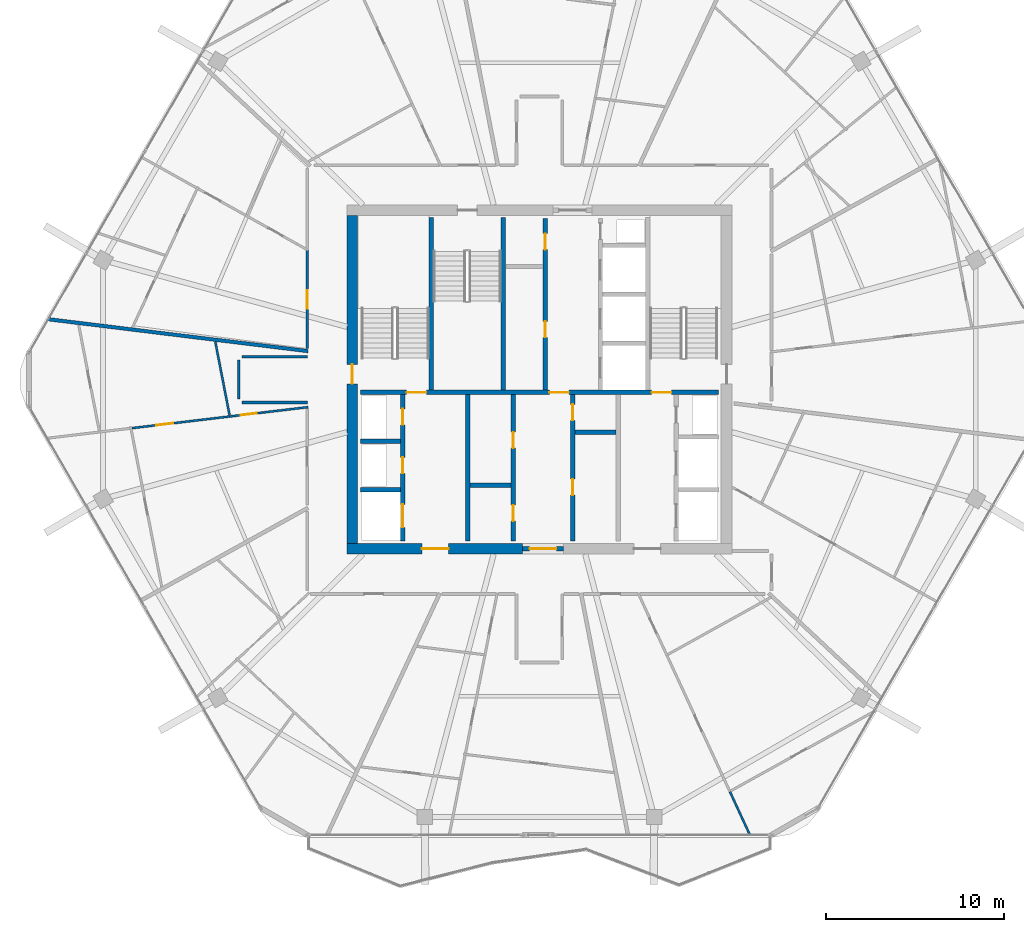
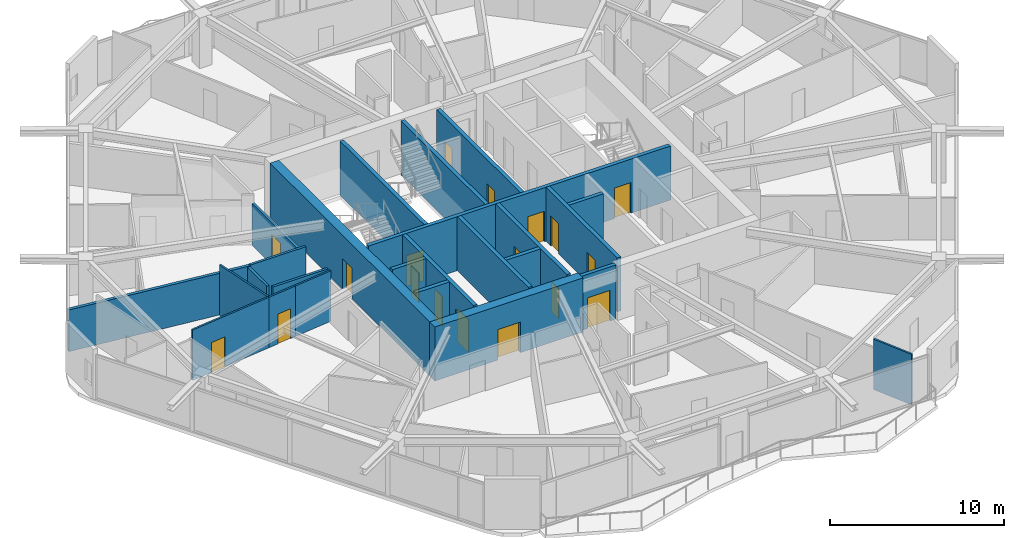
# One storey, part 20 of 27: 25 walls, 18 doors, 18 openings.
"""IFC4 building model written with IfcOpenShell, lengths in metres."""

import ifcopenshell
import ifcopenshell.guid

model = None  # the IFC model being written
_history = None  # IfcOwnerHistory: only IFC2X3 demands one
_inside = {}  # id of a spatial element -> (the spatial element, [elements in it])
_under = {}  # id of a project, library or spatial element -> (it, [spatial elements below it])
_declared = {}  # id of a project -> (the project, [libraries it declares])
_typed = {}  # id of a type object -> (the type object, [elements of that type])
_made_of = {}  # id of a material, layer set ... -> (it, [elements and type objects made of it])


def new_model(schema):
    """Start an empty IFC model of exactly this schema.

    Asked for "IFC4X3", IfcOpenShell would pick the latest addendum, in which some entities
    have other attributes; the version numbers below select the first issue.
    IFC2X3 requires an IfcOwnerHistory on every rooted entity: one is made here for all.
    """
    global model, _history
    if schema == "IFC4X3":
        model = ifcopenshell.file(schema_version=(4, 3, 0, 0))
    else:
        model = ifcopenshell.file(schema=schema)
    _inside.clear()
    _under.clear()
    _declared.clear()
    _typed.clear()
    _made_of.clear()
    _history = None
    if model.schema == "IFC2X3":
        org = make("IfcOrganization", Name="unknown")
        user = make(
            "IfcPersonAndOrganization",
            ThePerson=make("IfcPerson", FamilyName="unknown"),
            TheOrganization=org,
        )
        app = make(
            "IfcApplication",
            ApplicationDeveloper=org,
            Version="unknown",
            ApplicationFullName="unknown",
            ApplicationIdentifier="unknown",
        )
        _history = make(
            "IfcOwnerHistory",
            OwningUser=user,
            OwningApplication=app,
            ChangeAction="ADDED",
            CreationDate=0,
        )
    return model


def make(cls, **values):
    """One entity of the class cls with the attributes given. An attribute that is None is left unset."""
    return model.create_entity(
        cls, **{name: value for name, value in values.items() if value is not None}
    )


def rooted(cls, **values):
    """An entity with a GlobalId (a new one), such as an element, a storey or a relation."""
    return make(cls, GlobalId=ifcopenshell.guid.new(), OwnerHistory=_history, **values)


def si_unit(unit_type, name, prefix=None):
    """IfcSIUnit, for example si_unit("LENGTHUNIT", "METRE", prefix="MILLI")."""
    return make("IfcSIUnit", UnitType=unit_type, Prefix=prefix, Name=name)


def assignment(units):
    """IfcUnitAssignment: the units of a project."""
    return None if units is None else make("IfcUnitAssignment", Units=units)


def point(xyz):
    """IfcCartesianPoint."""
    return None if xyz is None else make("IfcCartesianPoint", Coordinates=xyz)


def direction(xyz):
    """IfcDirection."""
    return None if xyz is None else make("IfcDirection", DirectionRatios=xyz)


def frame(location, z_axis=None, x_axis=None):
    """IfcAxis2Placement3D, a coordinate frame: its origin and axes. An axis left out is left unset."""
    return make(
        "IfcAxis2Placement3D",
        Location=point(location),
        Axis=direction(z_axis),
        RefDirection=direction(x_axis),
    )


def frame_2d(location, x_axis=None):
    """IfcAxis2Placement2D, a coordinate frame in the plane: its origin and x axis."""
    return make(
        "IfcAxis2Placement2D", Location=point(location), RefDirection=direction(x_axis)
    )


def origin():
    """The frame at (0, 0, 0) with its axes left unset."""
    return frame((0.0, 0.0, 0.0))


def place(relative_to, where):
    """IfcLocalPlacement: puts the frame where relative to a parent placement (None: the world)."""
    return make(
        "IfcLocalPlacement", PlacementRelTo=relative_to, RelativePlacement=where
    )


def context(
    kind, dimensions, precision=None, world=None, true_north=None, identifier=None
):
    """IfcGeometricRepresentationContext, for example the 3D "Model" context."""
    return make(
        "IfcGeometricRepresentationContext",
        ContextIdentifier=identifier,
        ContextType=kind,
        CoordinateSpaceDimension=dimensions,
        Precision=precision,
        WorldCoordinateSystem=world,
        TrueNorth=true_north,
    )


def subcontext(parent, identifier, kind, view, scale=None):
    """IfcGeometricRepresentationSubContext, for example "Body" below "Model"."""
    return make(
        "IfcGeometricRepresentationSubContext",
        ContextIdentifier=identifier,
        ContextType=kind,
        ParentContext=parent,
        TargetScale=scale,
        TargetView=view,
    )


def project(units=None, contexts=None):
    """IfcProject with its units and contexts."""
    return rooted(
        "IfcProject",
        Name="project",
        RepresentationContexts=contexts,
        UnitsInContext=assignment(units),
    )


def spatial(cls, under=None, at=None, **own):
    """A site, building, storey or space (cls), placed at a placement, below another one or the project."""
    s = rooted(cls, ObjectPlacement=at, **own)
    if under is not None:
        _under.setdefault(under.id(), (under, []))[1].append(s)
    return s


def profile(cls, at=None, kind="AREA", **sizes):
    """A parametric profile (cls). Its sizes go by their IFC names, for example OverallWidth=200.0."""
    return make(cls, ProfileType=kind, Position=at, **sizes)


def rectangle(**sizes):
    """IfcRectangleProfileDef."""
    return profile("IfcRectangleProfileDef", **sizes)


def extrude(swept, where, along, depth):
    """IfcExtrudedAreaSolid: the profile swept, set in the frame where, extruded along a direction by depth."""
    return make(
        "IfcExtrudedAreaSolid",
        SweptArea=swept,
        Position=where,
        ExtrudedDirection=direction(along),
        Depth=depth,
    )


def shape(context_of_items, identifier, shape_type, items):
    """IfcShapeRepresentation: the items that make up one representation, for example the "Body"."""
    return make(
        "IfcShapeRepresentation",
        ContextOfItems=context_of_items,
        RepresentationIdentifier=identifier,
        RepresentationType=shape_type,
        Items=items,
    )


def material(Name=None, Category=None):
    """IfcMaterial."""
    return make("IfcMaterial", Name=Name, Category=Category)


def layer(
    of_material, thickness, ventilated=None, Name=None, Category=None, Priority=None
):
    """IfcMaterialLayer: one layer of a wall or slab, of a material (None: an air gap)."""
    return make(
        "IfcMaterialLayer",
        Material=of_material,
        LayerThickness=thickness,
        IsVentilated=ventilated,
        Name=Name,
        Category=Category,
        Priority=Priority,
    )


def layer_set(layers, Name=None):
    """IfcMaterialLayerSet."""
    return make("IfcMaterialLayerSet", MaterialLayers=layers, LayerSetName=Name)


def made_of(thing, what):
    """Note that an element or type object is made of a material, layer set ...; save() writes the relation."""
    if what is not None:
        _made_of.setdefault(what.id(), (what, []))[1].append(thing)
    return thing


def type_object(cls, material=None, **own):
    """A type object (cls), such as IfcWallType, which elements share."""
    return made_of(rooted(cls, **own), material)


def element(
    cls,
    number,
    at=None,
    inside=None,
    cuts=None,
    type_object=None,
    material=None,
    context=None,
    identifier="Body",
    shape_type=None,
    held_by="IfcProductDefinitionShape",
    body=None,
    shapes=None,
    **own,
):
    """One element of the class cls, such as IfcWall. Its Tag is "e" and its number.

    at: its placement. inside: the storey or other place that contains it. cuts: it is an
    opening in that element (IfcRelVoidsElement). A single representation is given by context,
    identifier, shape_type and body (its items); several are given by shapes. held_by: the class
    of the entity that holds the representations. save() writes the other relations.
    """
    e = rooted(cls, Tag="e%d" % number, ObjectPlacement=at, **own)
    if body is not None:
        shapes = [shape(context, identifier, shape_type, body)]
    if shapes is not None:
        e.Representation = make(held_by, Representations=shapes)
    if inside is not None:
        _inside.setdefault(inside.id(), (inside, []))[1].append(e)
    if cuts is not None:
        rooted(
            "IfcRelVoidsElement", RelatingBuildingElement=cuts, RelatedOpeningElement=e
        )
    if type_object is not None:
        _typed.setdefault(type_object.id(), (type_object, []))[1].append(e)
    return made_of(e, material)


def fill(opening, filler):
    """IfcRelFillsElement: the door or window that sits in an opening."""
    return rooted(
        "IfcRelFillsElement",
        RelatingOpeningElement=opening,
        RelatedBuildingElement=filler,
    )


def aggregate(whole, parts):
    """IfcRelAggregates: a whole, such as a stair, and the parts it consists of."""
    return rooted("IfcRelAggregates", RelatingObject=whole, RelatedObjects=parts)


def save(model, path):
    """Write the relations noted so far, then the file.

    IfcRelAggregates (storeys below a building ...), IfcRelContainedInSpatialStructure (elements
    in a storey), IfcRelDefinesByType, IfcRelAssociatesMaterial and IfcRelDeclares: one each for
    every whole, place, type object, material and project.
    """
    for whole, parts in _under.values():
        aggregate(whole, parts)
    for where, things in _inside.values():
        rooted(
            "IfcRelContainedInSpatialStructure",
            RelatedElements=things,
            RelatingStructure=where,
        )
    for kind, things in _typed.values():
        rooted("IfcRelDefinesByType", RelatedObjects=things, RelatingType=kind)
    for what, things in _made_of.values():
        rooted("IfcRelAssociatesMaterial", RelatedObjects=things, RelatingMaterial=what)
    for by, libraries in _declared.values():
        rooted("IfcRelDeclares", RelatingContext=by, RelatedDefinitions=libraries)
    model.write(path)


model = new_model("IFC4")

# Units and contexts
model_context = context("Model", 3, precision=1e-05, world=origin(), true_north=direction((0.0, 1.0)))
body_context = subcontext(model_context, "Body", "Model", "MODEL_VIEW")
ifc_project = project(units=[si_unit("LENGTHUNIT", "METRE"), si_unit("AREAUNIT", "SQUARE_METRE"), si_unit("VOLUMEUNIT", "CUBIC_METRE"), si_unit("PLANEANGLEUNIT", "RADIAN"), si_unit("MASSUNIT", "GRAM", prefix="KILO")], contexts=[model_context])

# Site, building, storey
site_placement = place(None, origin())
site = spatial("IfcSite", under=ifc_project, at=site_placement, CompositionType="ELEMENT")
building_placement = place(site_placement, origin())
building = spatial("IfcBuilding", under=site, at=building_placement, Name="Zuhravey Tower", CompositionType="ELEMENT")
storey_placement = place(building_placement, frame((0.0, 0.0, 265.39990234375)))
storey = spatial("IfcBuildingStorey", under=building, at=storey_placement, Name="L67", CompositionType="ELEMENT", Elevation=265.39990234375)

# Wall, opening, door
ifc_material_1 = material(Name="Concrete C50/60", Category="concrete")
ifc_layer_1 = layer(ifc_material_1, 0.60009765625)
ifc_layer_set_1 = layer_set([ifc_layer_1], Name="Concrete C50/60")
wall_type_1 = type_object("IfcWallType", Name="Core Shear Wall 600", PredefinedType="SHEAR", material=ifc_layer_set_1)
wall_1_placement = place(storey_placement, frame((25.199951171875, 22.5, 0.0), z_axis=(0.0, 0.0, 1.0), x_axis=(1.0, 0.0, 0.0)))
wall_1 = element("IfcWall", 1, at=wall_1_placement, inside=storey, type_object=wall_type_1, Name="L67 South-West Core Shear Wall CW60", PredefinedType="SHEAR", context=body_context, shape_type="SweptSolid", body=[
    extrude(rectangle(XDim=9.85009765625, YDim=0.60009765625, at=frame_2d((4.925048828125, 0.0))), origin(), (0.0, 0.0, 1.0), 3.800048828125),
])
opening_1_placement = place(wall_1_placement, frame((4.199951171875, 0.0, 0.0)))
opening_1 = element("IfcOpeningElement", 2, at=opening_1_placement, cuts=wall_1, Name="Opening FFD1", PredefinedType="OPENING", context=body_context, shape_type="SweptSolid", body=[
    extrude(rectangle(XDim=1.5, YDim=2.14990234375, at=frame_2d((0.75, 1.074951171875))), frame((0.0, 0.31201171875, 0.0), z_axis=(0.0, -1.0, 0.0), x_axis=(1.0, 0.0, 0.0)), (0.0, 0.0, 1.0), 0.6240234375),
])
ifc_material_2 = material(Name="Galvanised fire-rated steel leaf", Category="steel")
door_type_1 = type_object("IfcDoorType", Name="Firefighting Lobby Double Door 1500x2150", OperationType="DOUBLE_DOOR_SINGLE_SWING", PredefinedType="DOOR", material=ifc_material_2)
door_1_placement = place(opening_1_placement, origin())
door_1 = element("IfcDoor", 3, at=door_1_placement, inside=storey, type_object=door_type_1, Name="L67 Firefighting Lobby West Door", OperationType="DOUBLE_DOOR_SINGLE_SWING", OverallHeight=2.14990234375, OverallWidth=1.5, PredefinedType="DOOR", context=body_context, shape_type="SweptSolid", body=[
    extrude(rectangle(XDim=1.5, YDim=2.14990234375, at=frame_2d((0.75, 1.074951171875))), frame((0.0, 0.02490234375, 0.0), z_axis=(0.0, -1.0, 0.0), x_axis=(1.0, 0.0, 0.0)), (0.0, 0.0, 1.0), 0.050048828125),
])
fill(opening_1, door_1)

wall_2_placement = place(storey_placement, frame((25.5, 22.800048828125, 0.0), z_axis=(0.0, 0.0, 1.0), x_axis=(0.0, 1.0, 0.0)))
wall_2 = element("IfcWall", 4, at=wall_2_placement, inside=storey, type_object=wall_type_1, Name="L67 West Core Shear Wall CW60", PredefinedType="SHEAR", context=body_context, shape_type="SweptSolid", body=[
    extrude(rectangle(XDim=18.39990234375, YDim=0.60009765625, at=frame_2d((9.199951171875, 0.0))), origin(), (0.0, 0.0, 1.0), 3.800048828125),
])
opening_2_placement = place(wall_2_placement, frame((8.949951171875, 0.0, 0.0)))
opening_2 = element("IfcOpeningElement", 5, at=opening_2_placement, cuts=wall_2, Name="Opening STD1", PredefinedType="OPENING", context=body_context, shape_type="SweptSolid", body=[
    extrude(rectangle(XDim=1.10009765625, YDim=2.14990234375, at=frame_2d((0.550048828125, 1.074951171875))), frame((0.0, 0.31201171875, 0.0), z_axis=(0.0, -1.0, 0.0), x_axis=(1.0, 0.0, 0.0)), (0.0, 0.0, 1.0), 0.6240234375),
])
door_type_2 = type_object("IfcDoorType", Name="Protected Stair Fire Door 1100x2150", OperationType="NOTDEFINED", PredefinedType="USERDEFINED", material=ifc_material_2)
door_2_placement = place(opening_2_placement, frame((1.10009765625, 0.0, 0.0), z_axis=(0.0, 0.0, 1.0), x_axis=(-1.0, 0.0, 0.0)))
door_2 = element("IfcDoor", 6, at=door_2_placement, inside=storey, type_object=door_type_2, Name="L67 Stair ST1 Door", ObjectType="EXITDOOR", OperationType="SINGLE_SWING_RIGHT", OverallHeight=2.14990234375, OverallWidth=1.10009765625, PredefinedType="USERDEFINED", context=body_context, shape_type="SweptSolid", body=[
    extrude(rectangle(XDim=1.10009765625, YDim=2.14990234375, at=frame_2d((0.550048828125, 1.074951171875))), frame((0.0, 0.02490234375, 0.0), z_axis=(0.0, -1.0, 0.0), x_axis=(1.0, 0.0, 0.0)), (0.0, 0.0, 1.0), 0.050048828125),
])
fill(opening_2, door_2)

ifc_material_3 = material(Name="Gypsum fire-rated stud partition")
ifc_layer_2 = layer(ifc_material_3, 0.159912109375)
ifc_layer_set_2 = layer_set([ifc_layer_2], Name="Gypsum fire-rated stud partition")
wall_type_2 = type_object("IfcWallType", Name="Corridor Fire Partition 160", PredefinedType="PARTITIONING", material=ifc_layer_set_2)
wall_3_placement = place(storey_placement, frame((22.969970703125, 39.25927734375, 0.0), z_axis=(0.0, 0.0, 1.0), x_axis=(0.0, -1.0, 0.0)))
wall_3 = element("IfcWall", 7, at=wall_3_placement, inside=storey, type_object=wall_type_2, Name="L67 IW16 Partition 025", PredefinedType="PARTITIONING", context=body_context, shape_type="SweptSolid", body=[
    extrude(rectangle(XDim=5.523681640625, YDim=0.159912109375, at=frame_2d((2.76171875, 0.0))), origin(), (0.0, 0.0, 1.0), 2.9501953125),
])
opening_3_placement = place(wall_3_placement, frame((2.23681640625, 0.0, 0.0)))
opening_3 = element("IfcOpeningElement", 8, at=opening_3_placement, cuts=wall_3, Name="Opening APD1", PredefinedType="OPENING", context=body_context, shape_type="SweptSolid", body=[
    extrude(rectangle(XDim=1.050048828125, YDim=2.14990234375, at=frame_2d((0.52490234375, 1.074951171875))), frame((0.0, 0.092041015625, 0.0), z_axis=(0.0, -1.0, 0.0), x_axis=(1.0, 0.0, 0.0)), (0.0, 0.0, 1.0), 0.183837890625),
])
ifc_material_4 = material(Name="Solid-core oak fire-rated leaf")
door_type_3 = type_object("IfcDoorType", Name="Apartment Entrance Fire Door 1050x2150", OperationType="NOTDEFINED", PredefinedType="DOOR", material=ifc_material_4)
door_3_placement = place(opening_3_placement, frame((1.050048828125, 0.0, 0.0), z_axis=(0.0, 0.0, 1.0), x_axis=(-1.0, 0.0, 0.0)))
door_3 = element("IfcDoor", 9, at=door_3_placement, inside=storey, type_object=door_type_3, Name="L67 Door 025.1", OperationType="SINGLE_SWING_RIGHT", OverallHeight=2.14990234375, OverallWidth=1.050048828125, PredefinedType="DOOR", context=body_context, shape_type="SweptSolid", body=[
    extrude(rectangle(XDim=1.050048828125, YDim=2.14990234375, at=frame_2d((0.52490234375, 1.074951171875))), frame((0.0, 0.02490234375, 0.0), z_axis=(0.0, -1.0, 0.0), x_axis=(1.0, 0.0, 0.0)), (0.0, 0.0, 1.0), 0.050048828125),
])
fill(opening_3, door_3)

# Walls
for number, where, z_axis, x_axis, name in (
    (10, (22.969970703125, 33.280029296875, 0.0), (0.0, 0.0, 1.0), (-1.0, 0.0, 0.0), "L67 IW16 Partition 114"),
    (11, (19.300048828125, 30.719970703125, 0.0), (0.0, 0.0, 1.0), (1.0, 0.0, 0.0), "L67 IW16 Partition 115"),
):
    element("IfcWall", number, at=place(storey_placement, frame(where, z_axis=z_axis, x_axis=x_axis)), inside=storey, type_object=wall_type_2, Name=name, PredefinedType="PARTITIONING", context=body_context, shape_type="SweptSolid", body=[
        extrude(rectangle(XDim=3.669921875, YDim=0.159912109375, at=frame_2d((1.8349609375, 0.0))), origin(), (0.0, 0.0, 1.0), 3.550048828125),
    ])
wall_4_placement = place(storey_placement, frame((19.1201171875, 33.10009765625, 0.0), z_axis=(0.0, 0.0, 1.0), x_axis=(0.0, -1.0, 0.0)))
element("IfcWall", 12, at=wall_4_placement, inside=storey, type_object=wall_type_2, Name="L67 IW16 Partition 116", PredefinedType="PARTITIONING", context=body_context, shape_type="SweptSolid", body=[
    extrude(rectangle(XDim=2.2001953125, YDim=0.159912109375, at=frame_2d((1.10009765625, 0.0))), origin(), (0.0, 0.0, 1.0), 3.550048828125),
])

# Wall, opening, door
ifc_layer_3 = layer(ifc_material_1, 0.25)
ifc_layer_set_3 = layer_set([ifc_layer_3], Name="Concrete C50/60")
wall_type_3 = type_object("IfcWallType", Name="Firefighting Shaft & Stair Wall 250", PredefinedType="SOLIDWALL", material=ifc_layer_set_3)
wall_5_placement = place(storey_placement, frame((35.06005859375, 22.5, 0.0), z_axis=(0.0, 0.0, 1.0), x_axis=(1.0, 0.0, 0.0)))
wall_5 = element("IfcWall", 13, at=wall_5_placement, inside=storey, type_object=wall_type_3, Name="L67 FW25 Shaft Wall 001", PredefinedType="SOLIDWALL", context=body_context, shape_type="SweptSolid", body=[
    extrude(rectangle(XDim=2.280029296875, YDim=0.25, at=frame_2d((1.14013671875, 0.0))), origin(), (0.0, 0.0, 1.0), 3.800048828125),
])
opening_4_placement = place(wall_5_placement, frame((0.389892578125, 0.0, 0.0)))
opening_4 = element("IfcOpeningElement", 14, at=opening_4_placement, cuts=wall_5, Name="Opening FFD1", PredefinedType="OPENING", context=body_context, shape_type="SweptSolid", body=[
    extrude(rectangle(XDim=1.5, YDim=2.14990234375, at=frame_2d((0.75, 1.074951171875))), frame((0.0, 0.136962890625, 0.0), z_axis=(0.0, -1.0, 0.0), x_axis=(1.0, 0.0, 0.0)), (0.0, 0.0, 1.0), 0.27392578125),
])
door_4_placement = place(opening_4_placement, frame((1.5, 0.0, 0.0), z_axis=(0.0, 0.0, 1.0), x_axis=(-1.0, 0.0, 0.0)))
door_4 = element("IfcDoor", 15, at=door_4_placement, inside=storey, type_object=door_type_1, Name="L67 South Lift Lobby Exit Door", OperationType="DOUBLE_DOOR_SINGLE_SWING", OverallHeight=2.14990234375, OverallWidth=1.5, PredefinedType="DOOR", context=body_context, shape_type="SweptSolid", body=[
    extrude(rectangle(XDim=1.5, YDim=2.14990234375, at=frame_2d((0.75, 1.074951171875))), frame((0.0, 0.02490234375, 0.0), z_axis=(0.0, -1.0, 0.0), x_axis=(1.0, 0.0, 0.0)), (0.0, 0.0, 1.0), 0.050048828125),
])
fill(opening_4, door_4)

# Wall, openings, doors
wall_6_placement = place(storey_placement, frame((25.949951171875, 31.27490234375, 0.0), z_axis=(0.0, 0.0, 1.0), x_axis=(1.0, 0.0, 0.0)))
wall_6 = element("IfcWall", 16, at=wall_6_placement, inside=storey, type_object=wall_type_3, Name="L67 FW25 Shaft Wall 003", PredefinedType="SOLIDWALL", context=body_context, shape_type="SweptSolid", body=[
    extrude(rectangle(XDim=20.10009765625, YDim=0.25, at=frame_2d((10.050048828125, 0.0))), origin(), (0.0, 0.0, 1.0), 3.800048828125),
])
opening_5_placement = place(wall_6_placement, frame((2.60009765625, 0.0, 0.0)))
opening_5 = element("IfcOpeningElement", 17, at=opening_5_placement, cuts=wall_6, Name="Opening STD1", PredefinedType="OPENING", context=body_context, shape_type="SweptSolid", body=[
    extrude(rectangle(XDim=1.10009765625, YDim=2.14990234375, at=frame_2d((0.550048828125, 1.074951171875))), frame((0.0, 0.136962890625, 0.0), z_axis=(0.0, -1.0, 0.0), x_axis=(1.0, 0.0, 0.0)), (0.0, 0.0, 1.0), 0.27392578125),
])
opening_6_placement = place(wall_6_placement, frame((10.60009765625, 0.0, 0.0)))
opening_6 = element("IfcOpeningElement", 18, at=opening_6_placement, cuts=wall_6, Name="Opening STD1", PredefinedType="OPENING", context=body_context, shape_type="SweptSolid", body=[
    extrude(rectangle(XDim=1.10009765625, YDim=2.14990234375, at=frame_2d((0.550048828125, 1.074951171875))), frame((0.0, 0.136962890625, 0.0), z_axis=(0.0, -1.0, 0.0), x_axis=(1.0, 0.0, 0.0)), (0.0, 0.0, 1.0), 0.27392578125),
])
opening_7_placement = place(wall_6_placement, frame((16.35009765625, 0.0, 0.0)))
opening_7 = element("IfcOpeningElement", 19, at=opening_7_placement, cuts=wall_6, Name="Opening STD1", PredefinedType="OPENING", context=body_context, shape_type="SweptSolid", body=[
    extrude(rectangle(XDim=1.10009765625, YDim=2.14990234375, at=frame_2d((0.550048828125, 1.074951171875))), frame((0.0, 0.136962890625, 0.0), z_axis=(0.0, -1.0, 0.0), x_axis=(1.0, 0.0, 0.0)), (0.0, 0.0, 1.0), 0.27392578125),
])
door_5_placement = place(opening_5_placement, origin())
door_5 = element("IfcDoor", 20, at=door_5_placement, inside=storey, type_object=door_type_2, Name="L67 FFL-W to ST1 Door", ObjectType="EXITDOOR", OperationType="SINGLE_SWING_LEFT", OverallHeight=2.14990234375, OverallWidth=1.10009765625, PredefinedType="USERDEFINED", context=body_context, shape_type="SweptSolid", body=[
    extrude(rectangle(XDim=1.10009765625, YDim=2.14990234375, at=frame_2d((0.550048828125, 1.074951171875))), frame((0.0, 0.02490234375, 0.0), z_axis=(0.0, -1.0, 0.0), x_axis=(1.0, 0.0, 0.0)), (0.0, 0.0, 1.0), 0.050048828125),
])
fill(opening_5, door_5)
door_6_placement = place(opening_6_placement, origin())
door_6 = element("IfcDoor", 21, at=door_6_placement, inside=storey, type_object=door_type_2, Name="L67 Core Lobby Link Door", ObjectType="EXITDOOR", OperationType="SINGLE_SWING_RIGHT", OverallHeight=2.14990234375, OverallWidth=1.10009765625, PredefinedType="USERDEFINED", context=body_context, shape_type="SweptSolid", body=[
    extrude(rectangle(XDim=1.10009765625, YDim=2.14990234375, at=frame_2d((0.550048828125, 1.074951171875))), frame((0.0, 0.02490234375, 0.0), z_axis=(0.0, -1.0, 0.0), x_axis=(1.0, 0.0, 0.0)), (0.0, 0.0, 1.0), 0.050048828125),
])
fill(opening_6, door_6)
door_7_placement = place(opening_7_placement, origin())
door_7 = element("IfcDoor", 22, at=door_7_placement, inside=storey, type_object=door_type_2, Name="L67 FFL-E to ST2 Door", ObjectType="EXITDOOR", OperationType="SINGLE_SWING_LEFT", OverallHeight=2.14990234375, OverallWidth=1.10009765625, PredefinedType="USERDEFINED", context=body_context, shape_type="SweptSolid", body=[
    extrude(rectangle(XDim=1.10009765625, YDim=2.14990234375, at=frame_2d((0.550048828125, 1.074951171875))), frame((0.0, 0.02490234375, 0.0), z_axis=(0.0, -1.0, 0.0), x_axis=(1.0, 0.0, 0.0)), (0.0, 0.0, 1.0), 0.050048828125),
])
fill(opening_7, door_7)

# Walls
for number, where, z_axis, x_axis, name in (
    (23, (29.925048828125, 31.39990234375, 0.0), (0.0, 0.0, 1.0), (0.0, 1.0, 0.0), "L67 FW25 Shaft Wall 004"),
    (24, (33.97509765625, 31.39990234375, 0.0), (0.0, 0.0, 1.0), (0.0, 1.0, 0.0), "L67 FW25 Shaft Wall 005"),
):
    element("IfcWall", number, at=place(storey_placement, frame(where, z_axis=z_axis, x_axis=x_axis)), inside=storey, type_object=wall_type_3, Name=name, PredefinedType="SOLIDWALL", context=body_context, shape_type="SweptSolid", body=[
        extrude(rectangle(XDim=9.7001953125, YDim=0.25, at=frame_2d((4.85009765625, 0.0))), origin(), (0.0, 0.0, 1.0), 3.800048828125),
    ])

# Wall, openings, doors
wall_7_placement = place(storey_placement, frame((36.324951171875, 31.39990234375, 0.0), z_axis=(0.0, 0.0, 1.0), x_axis=(0.0, 1.0, 0.0)))
wall_7 = element("IfcWall", 25, at=wall_7_placement, inside=storey, type_object=wall_type_3, Name="L67 FW25 Shaft Wall 007", PredefinedType="SOLIDWALL", context=body_context, shape_type="SweptSolid", body=[
    extrude(rectangle(XDim=9.650146484375, YDim=0.25, at=frame_2d((4.8251953125, 0.0))), origin(), (0.0, 0.0, 1.0), 3.800048828125),
])
opening_8_placement = place(wall_7_placement, frame((2.965087890625, 0.0, 0.0)))
opening_8 = element("IfcOpeningElement", 26, at=opening_8_placement, cuts=wall_7, Name="Opening RSD1", PredefinedType="OPENING", context=body_context, shape_type="SweptSolid", body=[
    extrude(rectangle(XDim=0.89990234375, YDim=2.10009765625, at=frame_2d((0.449951171875, 1.050048828125))), frame((0.0, 0.136962890625, 0.0), z_axis=(0.0, -1.0, 0.0), x_axis=(1.0, 0.0, 0.0)), (0.0, 0.0, 1.0), 0.27392578125),
])
opening_9_placement = place(wall_7_placement, frame((7.885009765625, 0.0, 0.0)))
opening_9 = element("IfcOpeningElement", 27, at=opening_9_placement, cuts=wall_7, Name="Opening RSD1", PredefinedType="OPENING", context=body_context, shape_type="SweptSolid", body=[
    extrude(rectangle(XDim=0.89990234375, YDim=2.10009765625, at=frame_2d((0.449951171875, 1.050048828125))), frame((0.0, 0.136962890625, 0.0), z_axis=(0.0, -1.0, 0.0), x_axis=(1.0, 0.0, 0.0)), (0.0, 0.0, 1.0), 0.27392578125),
])
ifc_material_5 = material(Name="Galvanised fire-rated steel access leaf", Category="steel")
door_type_4 = type_object("IfcDoorType", Name="Riser & Shaft Access Fire Door 900x2100", OperationType="NOTDEFINED", PredefinedType="DOOR", material=ifc_material_5)
door_8_placement = place(opening_8_placement, origin())
door_8 = element("IfcDoor", 28, at=door_8_placement, inside=storey, type_object=door_type_4, Name="L67 Equipment and Refuse Store Door", OperationType="SINGLE_SWING_RIGHT", OverallHeight=2.10009765625, OverallWidth=0.89990234375, PredefinedType="DOOR", context=body_context, shape_type="SweptSolid", body=[
    extrude(rectangle(XDim=0.89990234375, YDim=2.10009765625, at=frame_2d((0.449951171875, 1.050048828125))), frame((0.0, 0.02490234375, 0.0), z_axis=(0.0, -1.0, 0.0), x_axis=(1.0, 0.0, 0.0)), (0.0, 0.0, 1.0), 0.050048828125),
])
fill(opening_8, door_8)
door_9_placement = place(opening_9_placement, origin())
door_9 = element("IfcDoor", 29, at=door_9_placement, inside=storey, type_object=door_type_4, Name="L67 BMS Control Room Door", OperationType="SINGLE_SWING_LEFT", OverallHeight=2.10009765625, OverallWidth=0.89990234375, PredefinedType="DOOR", context=body_context, shape_type="SweptSolid", body=[
    extrude(rectangle(XDim=0.89990234375, YDim=2.10009765625, at=frame_2d((0.449951171875, 1.050048828125))), frame((0.0, 0.02490234375, 0.0), z_axis=(0.0, -1.0, 0.0), x_axis=(1.0, 0.0, 0.0)), (0.0, 0.0, 1.0), 0.050048828125),
])
fill(opening_9, door_9)

# Walls
for number, where, z_axis, x_axis, name in (
    (30, (25.949951171875, 25.824951171875, 0.0), (0.0, 0.0, 1.0), (1.0, 0.0, 0.0), "L67 FW25 Shaft Wall 009"),
    (31, (25.949951171875, 28.52490234375, 0.0), (0.0, 0.0, 1.0), (1.0, 0.0, 0.0), "L67 FW25 Shaft Wall 010"),
):
    element("IfcWall", number, at=place(storey_placement, frame(where, z_axis=z_axis, x_axis=x_axis)), inside=storey, type_object=wall_type_3, Name=name, PredefinedType="SOLIDWALL", context=body_context, shape_type="SweptSolid", body=[
        extrude(rectangle(XDim=2.25, YDim=0.25, at=frame_2d((1.125, 0.0))), origin(), (0.0, 0.0, 1.0), 3.800048828125),
    ])

# Wall, openings, doors
wall_8_placement = place(storey_placement, frame((28.324951171875, 22.949951171875, 0.0), z_axis=(0.0, 0.0, 1.0), x_axis=(0.0, 1.0, 0.0)))
wall_8 = element("IfcWall", 32, at=wall_8_placement, inside=storey, type_object=wall_type_3, Name="L67 FW25 Shaft Wall 011", PredefinedType="SOLIDWALL", context=body_context, shape_type="SweptSolid", body=[
    extrude(rectangle(XDim=8.199951171875, YDim=0.25, at=frame_2d((4.10009765625, 0.0))), origin(), (0.0, 0.0, 1.0), 3.800048828125),
])
opening_10_placement = place(wall_8_placement, frame((0.75, 0.0, 0.0)))
opening_10 = element("IfcOpeningElement", 33, at=opening_10_placement, cuts=wall_8, Name="Opening LD2", PredefinedType="OPENING", context=body_context, shape_type="SweptSolid", body=[
    extrude(rectangle(XDim=1.300048828125, YDim=2.300048828125, at=frame_2d((0.64990234375, 1.14990234375))), frame((0.0, 0.136962890625, 0.0), z_axis=(0.0, -1.0, 0.0), x_axis=(1.0, 0.0, 0.0)), (0.0, 0.0, 1.0), 0.27392578125),
])
opening_11_placement = place(wall_8_placement, frame((3.780029296875, 0.0, 0.0)))
opening_11 = element("IfcOpeningElement", 34, at=opening_11_placement, cuts=wall_8, Name="Opening RSD1", PredefinedType="OPENING", context=body_context, shape_type="SweptSolid", body=[
    extrude(rectangle(XDim=0.89990234375, YDim=2.10009765625, at=frame_2d((0.449951171875, 1.050048828125))), frame((0.0, 0.136962890625, 0.0), z_axis=(0.0, -1.0, 0.0), x_axis=(1.0, 0.0, 0.0)), (0.0, 0.0, 1.0), 0.27392578125),
])
opening_12_placement = place(wall_8_placement, frame((6.5, 0.0, 0.0)))
opening_12 = element("IfcOpeningElement", 35, at=opening_12_placement, cuts=wall_8, Name="Opening RSD1", PredefinedType="OPENING", context=body_context, shape_type="SweptSolid", body=[
    extrude(rectangle(XDim=0.89990234375, YDim=2.10009765625, at=frame_2d((0.449951171875, 1.050048828125))), frame((0.0, 0.136962890625, 0.0), z_axis=(0.0, -1.0, 0.0), x_axis=(1.0, 0.0, 0.0)), (0.0, 0.0, 1.0), 0.27392578125),
])
ifc_material_6 = material(Name="Brushed stainless steel", Category="steel")
door_type_5 = type_object("IfcDoorType", Name="Freight & Stretcher Lift Sliding Door 1300x2300", OperationType="DOUBLE_DOOR_SLIDING", PredefinedType="DOOR", material=ifc_material_6)
door_10_placement = place(opening_10_placement, frame((1.300048828125, 0.0, 0.0), z_axis=(0.0, 0.0, 1.0), x_axis=(-1.0, 0.0, 0.0)))
door_10 = element("IfcDoor", 36, at=door_10_placement, inside=storey, type_object=door_type_5, Name="L67 Lift FF1 Landing Door", OperationType="DOUBLE_DOOR_SLIDING", OverallHeight=2.300048828125, OverallWidth=1.300048828125, PredefinedType="DOOR", context=body_context, shape_type="SweptSolid", body=[
    extrude(rectangle(XDim=1.300048828125, YDim=2.300048828125, at=frame_2d((0.64990234375, 1.14990234375))), frame((0.0, 0.02490234375, 0.0), z_axis=(0.0, -1.0, 0.0), x_axis=(1.0, 0.0, 0.0)), (0.0, 0.0, 1.0), 0.050048828125),
])
fill(opening_10, door_10)
door_11_placement = place(opening_11_placement, frame((0.89990234375, 0.0, 0.0), z_axis=(0.0, 0.0, 1.0), x_axis=(-1.0, 0.0, 0.0)))
door_11 = element("IfcDoor", 37, at=door_11_placement, inside=storey, type_object=door_type_4, Name="L67 Electrical Riser Door", OperationType="SINGLE_SWING_LEFT", OverallHeight=2.10009765625, OverallWidth=0.89990234375, PredefinedType="DOOR", context=body_context, shape_type="SweptSolid", body=[
    extrude(rectangle(XDim=0.89990234375, YDim=2.10009765625, at=frame_2d((0.449951171875, 1.050048828125))), frame((0.0, 0.02490234375, 0.0), z_axis=(0.0, -1.0, 0.0), x_axis=(1.0, 0.0, 0.0)), (0.0, 0.0, 1.0), 0.050048828125),
])
fill(opening_11, door_11)
door_12_placement = place(opening_12_placement, frame((0.89990234375, 0.0, 0.0), z_axis=(0.0, 0.0, 1.0), x_axis=(-1.0, 0.0, 0.0)))
door_12 = element("IfcDoor", 38, at=door_12_placement, inside=storey, type_object=door_type_4, Name="L67 Smoke Shaft Access Door", OperationType="SINGLE_SWING_RIGHT", OverallHeight=2.10009765625, OverallWidth=0.89990234375, PredefinedType="DOOR", context=body_context, shape_type="SweptSolid", body=[
    extrude(rectangle(XDim=0.89990234375, YDim=2.10009765625, at=frame_2d((0.449951171875, 1.050048828125))), frame((0.0, 0.02490234375, 0.0), z_axis=(0.0, -1.0, 0.0), x_axis=(1.0, 0.0, 0.0)), (0.0, 0.0, 1.0), 0.050048828125),
])
fill(opening_12, door_12)

# Walls
wall_9_placement = place(storey_placement, frame((31.97509765625, 22.949951171875, 0.0), z_axis=(0.0, 0.0, 1.0), x_axis=(0.0, 1.0, 0.0)))
element("IfcWall", 39, at=wall_9_placement, inside=storey, type_object=wall_type_3, Name="L67 FW25 Shaft Wall 012", PredefinedType="SOLIDWALL", context=body_context, shape_type="SweptSolid", body=[
    extrude(rectangle(XDim=8.199951171875, YDim=0.25, at=frame_2d((4.10009765625, 0.0))), origin(), (0.0, 0.0, 1.0), 3.800048828125),
])
wall_10_placement = place(storey_placement, frame((32.10009765625, 26.074951171875, 0.0), z_axis=(0.0, 0.0, 1.0), x_axis=(1.0, 0.0, 0.0)))
element("IfcWall", 40, at=wall_10_placement, inside=storey, type_object=wall_type_3, Name="L67 FW25 Shaft Wall 013", PredefinedType="SOLIDWALL", context=body_context, shape_type="SweptSolid", body=[
    extrude(rectangle(XDim=2.2998046875, YDim=0.25, at=frame_2d((1.14990234375, 0.0))), origin(), (0.0, 0.0, 1.0), 3.800048828125),
])

# Wall, openings, doors
wall_11_placement = place(storey_placement, frame((34.52490234375, 22.949951171875, 0.0), z_axis=(0.0, 0.0, 1.0), x_axis=(0.0, 1.0, 0.0)))
wall_11 = element("IfcWall", 41, at=wall_11_placement, inside=storey, type_object=wall_type_3, Name="L67 FW25 Shaft Wall 014", PredefinedType="SOLIDWALL", context=body_context, shape_type="SweptSolid", body=[
    extrude(rectangle(XDim=8.199951171875, YDim=0.25, at=frame_2d((4.10009765625, 0.0))), origin(), (0.0, 0.0, 1.0), 3.800048828125),
])
opening_13_placement = place(wall_11_placement, frame((1.10009765625, 0.0, 0.0)))
opening_13 = element("IfcOpeningElement", 42, at=opening_13_placement, cuts=wall_11, Name="Opening RSD1", PredefinedType="OPENING", context=body_context, shape_type="SweptSolid", body=[
    extrude(rectangle(XDim=0.89990234375, YDim=2.10009765625, at=frame_2d((0.449951171875, 1.050048828125))), frame((0.0, 0.136962890625, 0.0), z_axis=(0.0, -1.0, 0.0), x_axis=(1.0, 0.0, 0.0)), (0.0, 0.0, 1.0), 0.27392578125),
])
opening_14_placement = place(wall_11_placement, frame((5.199951171875, 0.0, 0.0)))
opening_14 = element("IfcOpeningElement", 43, at=opening_14_placement, cuts=wall_11, Name="Opening RSD1", PredefinedType="OPENING", context=body_context, shape_type="SweptSolid", body=[
    extrude(rectangle(XDim=0.89990234375, YDim=2.10009765625, at=frame_2d((0.449951171875, 1.050048828125))), frame((0.0, 0.136962890625, 0.0), z_axis=(0.0, -1.0, 0.0), x_axis=(1.0, 0.0, 0.0)), (0.0, 0.0, 1.0), 0.27392578125),
])
door_13_placement = place(opening_13_placement, origin())
door_13 = element("IfcDoor", 44, at=door_13_placement, inside=storey, type_object=door_type_4, Name="L67 Metering Room Door", OperationType="SINGLE_SWING_LEFT", OverallHeight=2.10009765625, OverallWidth=0.89990234375, PredefinedType="DOOR", context=body_context, shape_type="SweptSolid", body=[
    extrude(rectangle(XDim=0.89990234375, YDim=2.10009765625, at=frame_2d((0.449951171875, 1.050048828125))), frame((0.0, 0.02490234375, 0.0), z_axis=(0.0, -1.0, 0.0), x_axis=(1.0, 0.0, 0.0)), (0.0, 0.0, 1.0), 0.050048828125),
])
fill(opening_13, door_13)
door_14_placement = place(opening_14_placement, origin())
door_14 = element("IfcDoor", 45, at=door_14_placement, inside=storey, type_object=door_type_4, Name="L67 Housekeeping Supply Door", OperationType="SINGLE_SWING_RIGHT", OverallHeight=2.10009765625, OverallWidth=0.89990234375, PredefinedType="DOOR", context=body_context, shape_type="SweptSolid", body=[
    extrude(rectangle(XDim=0.89990234375, YDim=2.10009765625, at=frame_2d((0.449951171875, 1.050048828125))), frame((0.0, 0.02490234375, 0.0), z_axis=(0.0, -1.0, 0.0), x_axis=(1.0, 0.0, 0.0)), (0.0, 0.0, 1.0), 0.050048828125),
])
fill(opening_14, door_14)

# Wall
wall_12_placement = place(storey_placement, frame((38.0, 29.050048828125, 0.0), z_axis=(0.0, 0.0, 1.0), x_axis=(1.0, 0.0, 0.0)))
element("IfcWall", 46, at=wall_12_placement, inside=storey, type_object=wall_type_3, Name="L67 FW25 Shaft Wall 015", PredefinedType="SOLIDWALL", context=body_context, shape_type="SweptSolid", body=[
    extrude(rectangle(XDim=2.300048828125, YDim=0.25, at=frame_2d((1.14990234375, 0.0))), origin(), (0.0, 0.0, 1.0), 3.800048828125),
])

# Wall, openings, doors
wall_13_placement = place(storey_placement, frame((37.875, 22.949951171875, 0.0), z_axis=(0.0, 0.0, 1.0), x_axis=(0.0, 1.0, 0.0)))
wall_13 = element("IfcWall", 47, at=wall_13_placement, inside=storey, type_object=wall_type_3, Name="L67 FW25 Shaft Wall 016", PredefinedType="SOLIDWALL", context=body_context, shape_type="SweptSolid", body=[
    extrude(rectangle(XDim=8.199951171875, YDim=0.25, at=frame_2d((4.10009765625, 0.0))), origin(), (0.0, 0.0, 1.0), 3.800048828125),
])
opening_15_placement = place(wall_13_placement, frame((2.5625, 0.0, 0.0)))
opening_15 = element("IfcOpeningElement", 48, at=opening_15_placement, cuts=wall_13, Name="Opening RSD1", PredefinedType="OPENING", context=body_context, shape_type="SweptSolid", body=[
    extrude(rectangle(XDim=0.89990234375, YDim=2.10009765625, at=frame_2d((0.449951171875, 1.050048828125))), frame((0.0, 0.136962890625, 0.0), z_axis=(0.0, -1.0, 0.0), x_axis=(1.0, 0.0, 0.0)), (0.0, 0.0, 1.0), 0.27392578125),
])
opening_16_placement = place(wall_13_placement, frame((6.762451171875, 0.0, 0.0)))
opening_16 = element("IfcOpeningElement", 49, at=opening_16_placement, cuts=wall_13, Name="Opening RSD1", PredefinedType="OPENING", context=body_context, shape_type="SweptSolid", body=[
    extrude(rectangle(XDim=0.89990234375, YDim=2.10009765625, at=frame_2d((0.449951171875, 1.050048828125))), frame((0.0, 0.136962890625, 0.0), z_axis=(0.0, -1.0, 0.0), x_axis=(1.0, 0.0, 0.0)), (0.0, 0.0, 1.0), 0.27392578125),
])
door_15_placement = place(opening_15_placement, frame((0.89990234375, 0.0, 0.0), z_axis=(0.0, 0.0, 1.0), x_axis=(-1.0, 0.0, 0.0)))
door_15 = element("IfcDoor", 50, at=door_15_placement, inside=storey, type_object=door_type_4, Name="L67 Trunk Store Door", OperationType="SINGLE_SWING_LEFT", OverallHeight=2.10009765625, OverallWidth=0.89990234375, PredefinedType="DOOR", context=body_context, shape_type="SweptSolid", body=[
    extrude(rectangle(XDim=0.89990234375, YDim=2.10009765625, at=frame_2d((0.449951171875, 1.050048828125))), frame((0.0, 0.02490234375, 0.0), z_axis=(0.0, -1.0, 0.0), x_axis=(1.0, 0.0, 0.0)), (0.0, 0.0, 1.0), 0.050048828125),
])
fill(opening_15, door_15)
door_16_placement = place(opening_16_placement, frame((0.89990234375, 0.0, 0.0), z_axis=(0.0, 0.0, 1.0), x_axis=(-1.0, 0.0, 0.0)))
door_16 = element("IfcDoor", 51, at=door_16_placement, inside=storey, type_object=door_type_4, Name="L67 Fiber Room Door", OperationType="SINGLE_SWING_RIGHT", OverallHeight=2.10009765625, OverallWidth=0.89990234375, PredefinedType="DOOR", context=body_context, shape_type="SweptSolid", body=[
    extrude(rectangle(XDim=0.89990234375, YDim=2.10009765625, at=frame_2d((0.449951171875, 1.050048828125))), frame((0.0, 0.02490234375, 0.0), z_axis=(0.0, -1.0, 0.0), x_axis=(1.0, 0.0, 0.0)), (0.0, 0.0, 1.0), 0.050048828125),
])
fill(opening_16, door_16)

# Wall
ifc_material_7 = material(Name="Gypsum double-stud party assembly")
ifc_layer_4 = layer(ifc_material_7, 0.199951171875)
ifc_layer_set_4 = layer_set([ifc_layer_4], Name="Gypsum double-stud party assembly")
wall_type_4 = type_object("IfcWallType", Name="Inter-Tenancy Party Wall 200", PredefinedType="PARTITIONING", material=ifc_layer_set_4)
wall_14_placement = place(storey_placement, frame((23.010009765625, 33.594970703125, 0.0), z_axis=(0.0, 0.0, 1.0), x_axis=(-0.992545643102, 0.121873485057, 0.0)))
element("IfcWall", 52, at=wall_14_placement, inside=storey, type_object=wall_type_4, Name="L67 IW20 Partition 078", PredefinedType="PARTITIONING", context=body_context, shape_type="SweptSolid", body=[
    extrude(rectangle(XDim=14.68359375, YDim=0.199951171875, at=frame_2d((7.341796875, 0.0))), origin(), (0.0, 0.0, 1.0), 2.93017578125),
])

# Wall, opening, door
ifc_material_8 = material(Name="Gypsum metal-stud partition")
ifc_layer_5 = layer(ifc_material_8, 0.1201171875)
ifc_layer_set_5 = layer_set([ifc_layer_5], Name="Gypsum metal-stud partition")
wall_type_5 = type_object("IfcWallType", Name="Unit Internal Partition 120", PredefinedType="PARTITIONING", material=ifc_layer_set_5)
wall_15_placement = place(storey_placement, frame((20.485595703125, 30.14990234375, 0.0), z_axis=(0.0, 0.0, 1.0), x_axis=(-0.992972480761, -0.118345479222, 0.0)))
wall_15 = element("IfcWall", 53, at=wall_15_placement, inside=storey, type_object=wall_type_5, Name="L67 IW12 Partition 027", PredefinedType="PARTITIONING", context=body_context, shape_type="SweptSolid", body=[
    extrude(rectangle(XDim=1.902099609375, YDim=0.1201171875, at=frame_2d((0.951171875, 0.0))), origin(), (0.0, 0.0, 1.0), 3.550048828125),
])
opening_17_placement = place(wall_15_placement, frame((0.348876953125, 0.0, 0.0)))
opening_17 = element("IfcOpeningElement", 54, at=opening_17_placement, cuts=wall_15, Name="Opening WCD1", PredefinedType="OPENING", context=body_context, shape_type="SweptSolid", body=[
    extrude(rectangle(XDim=0.89990234375, YDim=2.10009765625, at=frame_2d((0.449951171875, 1.050048828125))), frame((0.0, 0.072021484375, 0.0), z_axis=(0.0, -1.0, 0.0), x_axis=(1.0, 0.0, 0.0)), (0.0, 0.0, 1.0), 0.14404296875),
])
ifc_material_9 = material(Name="Moisture-resistant timber leaf", Category="wood")
door_type_6 = type_object("IfcDoorType", Name="Bathroom & WC Internal Door 900x2100", OperationType="NOTDEFINED", PredefinedType="DOOR", material=ifc_material_9)
door_17_placement = place(opening_17_placement, frame((0.89990234375, 0.0, 0.0), z_axis=(0.0, 0.0, 1.0), x_axis=(-1.0, 0.0, 0.0)))
door_17 = element("IfcDoor", 55, at=door_17_placement, inside=storey, type_object=door_type_6, Name="Apartment L67-02 Bathroom Door", OperationType="SINGLE_SWING_RIGHT", OverallHeight=2.10009765625, OverallWidth=0.89990234375, PredefinedType="DOOR", context=body_context, shape_type="SweptSolid", body=[
    extrude(rectangle(XDim=0.89990234375, YDim=2.10009765625, at=frame_2d((0.449951171875, 1.050048828125))), frame((0.0, 0.02490234375, 0.0), z_axis=(0.0, -1.0, 0.0), x_axis=(1.0, 0.0, 0.0)), (0.0, 0.0, 1.0), 0.050048828125),
])
fill(opening_17, door_17)

wall_16_placement = place(storey_placement, frame((18.596923828125, 29.9248046875, 0.0), z_axis=(0.0, 0.0, 1.0), x_axis=(-0.992967773956, -0.118384964774, 0.0)))
wall_16 = element("IfcWall", 56, at=wall_16_placement, inside=storey, type_object=wall_type_5, Name="L67 IW12 Partition 028", PredefinedType="PARTITIONING", context=body_context, shape_type="SweptSolid", body=[
    extrude(rectangle(XDim=5.495849609375, YDim=0.1201171875, at=frame_2d((2.748046875, 0.0))), origin(), (0.0, 0.0, 1.0), 3.550048828125),
])
opening_18_placement = place(wall_16_placement, frame((3.18310546875, 0.0, 0.0)))
opening_18 = element("IfcOpeningElement", 57, at=opening_18_placement, cuts=wall_16, Name="Opening IND1", PredefinedType="OPENING", context=body_context, shape_type="SweptSolid", body=[
    extrude(rectangle(XDim=0.949951171875, YDim=2.10009765625, at=frame_2d((0.47509765625, 1.050048828125))), frame((0.0, 0.072021484375, 0.0), z_axis=(0.0, -1.0, 0.0), x_axis=(1.0, 0.0, 0.0)), (0.0, 0.0, 1.0), 0.14404296875),
])
ifc_material_10 = material(Name="Painted engineered timber leaf", Category="wood")
door_type_7 = type_object("IfcDoorType", Name="Internal Room & Bedroom Door 950x2100", OperationType="NOTDEFINED", PredefinedType="DOOR", material=ifc_material_10)
door_18_placement = place(opening_18_placement, frame((0.949951171875, 0.0, 0.0), z_axis=(0.0, 0.0, 1.0), x_axis=(-1.0, 0.0, 0.0)))
door_18 = element("IfcDoor", 58, at=door_18_placement, inside=storey, type_object=door_type_7, Name="Apartment L67-02 Home Office Door", OperationType="SINGLE_SWING_LEFT", OverallHeight=2.10009765625, OverallWidth=0.949951171875, PredefinedType="DOOR", context=body_context, shape_type="SweptSolid", body=[
    extrude(rectangle(XDim=0.949951171875, YDim=2.10009765625, at=frame_2d((0.47509765625, 1.050048828125))), frame((0.0, 0.02490234375, 0.0), z_axis=(0.0, -1.0, 0.0), x_axis=(1.0, 0.0, 0.0)), (0.0, 0.0, 1.0), 0.050048828125),
])
fill(opening_18, door_18)

# Walls
wall_17_placement = place(storey_placement, frame((23.014892578125, 30.45166015625, 0.0), z_axis=(0.0, 0.0, 1.0), x_axis=(-0.992958240304, -0.118464902029, 0.0)))
element("IfcWall", 59, at=wall_17_placement, inside=storey, type_object=wall_type_5, Name="L67 IW12 Partition 079", PredefinedType="PARTITIONING", context=body_context, shape_type="SweptSolid", body=[
    extrude(rectangle(XDim=2.547119140625, YDim=0.1201171875, at=frame_2d((1.2734375, 0.0))), origin(), (0.0, 0.0, 1.0), 3.550048828125),
])
wall_18_placement = place(storey_placement, frame((17.805908203125, 34.125244140625, 0.0), z_axis=(0.0, 0.0, 1.0), x_axis=(0.190824624048, -0.981624145413, 0.0)))
element("IfcWall", 60, at=wall_18_placement, inside=storey, type_object=wall_type_5, Name="L67 IW12 Partition 081", PredefinedType="PARTITIONING", context=body_context, shape_type="SweptSolid", body=[
    extrude(rectangle(XDim=4.2080078125, YDim=0.1201171875, at=frame_2d((2.10400390625, 0.0))), origin(), (0.0, 0.0, 1.0), 3.550048828125),
])
wall_19_placement = place(storey_placement, frame((46.69091796875, 8.862548828125, 0.0), z_axis=(0.0, 0.0, 1.0), x_axis=(0.419509024285, -0.907751165542, 0.0)))
element("IfcWall", 61, at=wall_19_placement, inside=storey, type_object=wall_type_5, Name="L67 IW12 Partition 092", PredefinedType="PARTITIONING", context=body_context, shape_type="SweptSolid", body=[
    extrude(rectangle(XDim=2.67822265625, YDim=0.1201171875, at=frame_2d((1.339111328125, 0.0))), origin(), (0.0, 0.0, 1.0), 3.550048828125),
])

save(model, "model.ifc")
